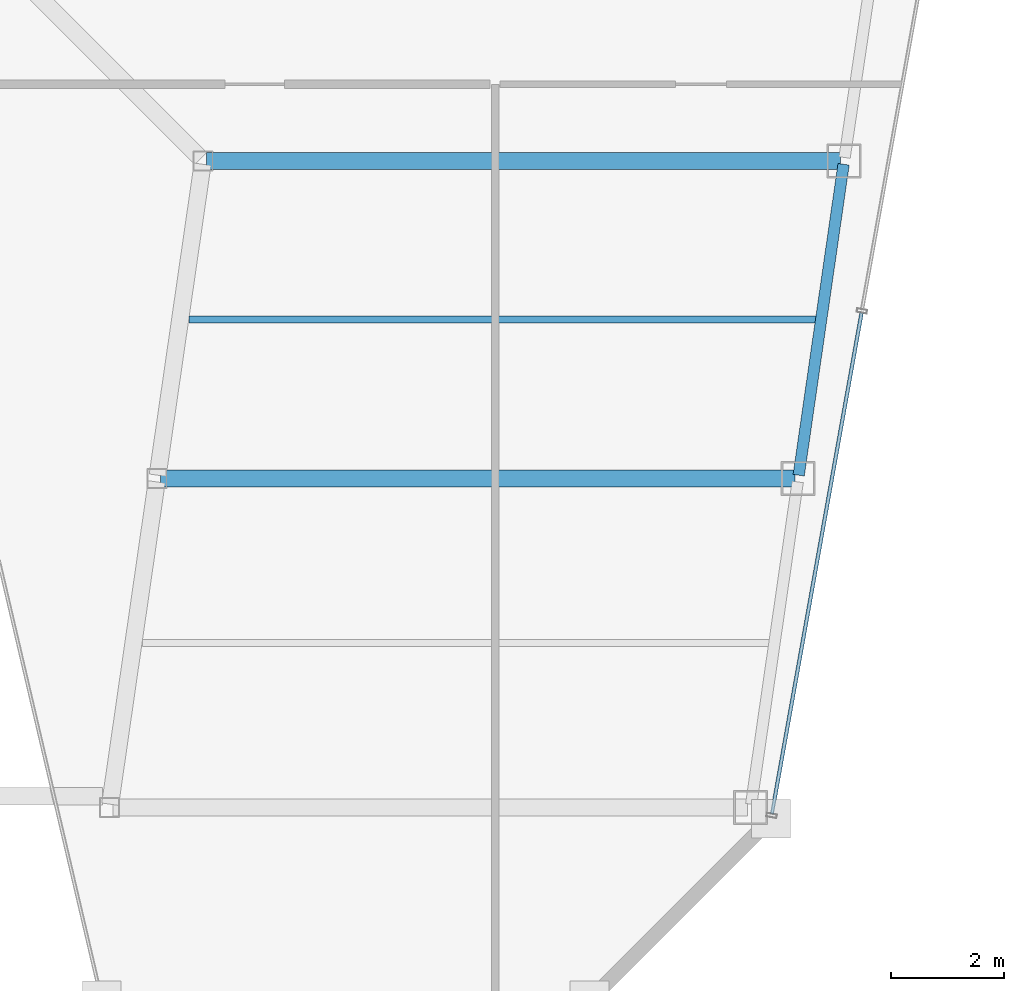
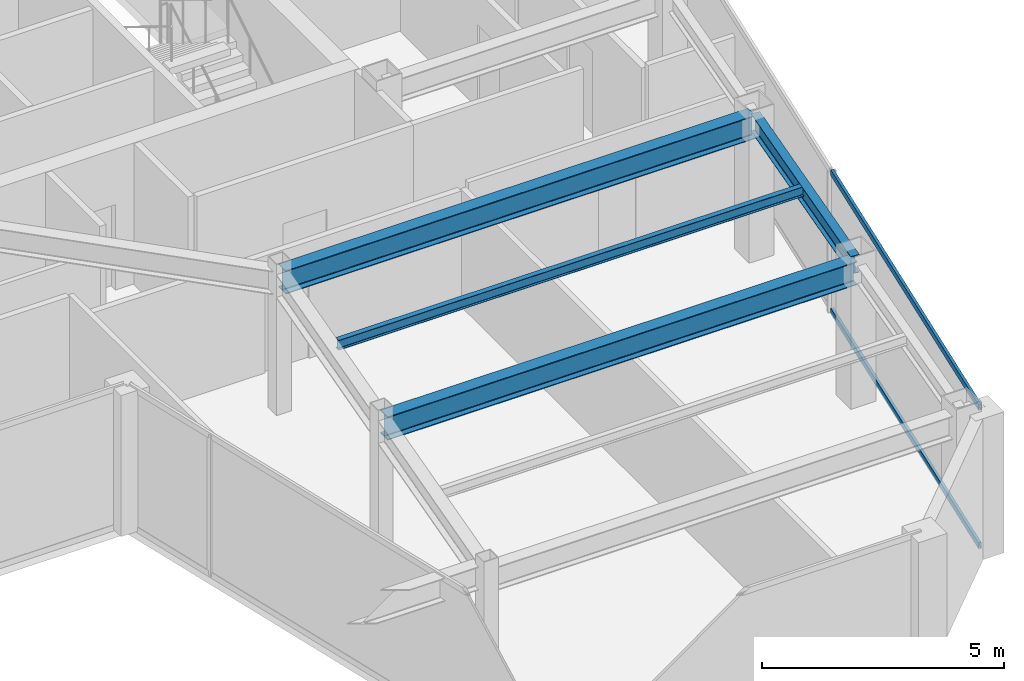
# One storey, part 16 of 32: 4 beams, 2 members, 1 element without a shape of its own.
"""IFC4 building model written with IfcOpenShell, lengths in metres."""

from ifc_helpers import new_model, si_unit, direction, frame, origin, origin_2d, place, context, subcontext, project, spatial, hollow_rectangle, i_section, extrude, material, material_profile, profile_set, type_object, element, aggregate, save


model = new_model("IFC4")

# Units and contexts
model_context = context("Model", 3, precision=1e-05, world=origin(), true_north=direction((0.0, 1.0)))
body_context = subcontext(model_context, "Body", "Model", "MODEL_VIEW")
ifc_project = project(units=[si_unit("LENGTHUNIT", "METRE"), si_unit("AREAUNIT", "SQUARE_METRE"), si_unit("VOLUMEUNIT", "CUBIC_METRE"), si_unit("PLANEANGLEUNIT", "RADIAN"), si_unit("MASSUNIT", "GRAM", prefix="KILO")], contexts=[model_context])

# Site, building, storey
site_placement = place(None, origin())
site = spatial("IfcSite", under=ifc_project, at=site_placement, CompositionType="ELEMENT")
building_placement = place(site_placement, origin())
building = spatial("IfcBuilding", under=site, at=building_placement, Name="Saevonmaru Cultural Tower", CompositionType="ELEMENT")
storey_placement = place(building_placement, frame((0.0, 0.0, 268.60009765625)))
storey = spatial("IfcBuildingStorey", under=building, at=storey_placement, Name="L63", CompositionType="ELEMENT", Elevation=268.60009765625)

# Beams
ifc_material_1 = material(Name="Steel SM355", Category="steel")
ifc_material_profile_1 = material_profile(ifc_material_1, i_section(OverallWidth=0.300048828125, OverallDepth=0.587890625, WebThickness=0.011962890625, FlangeThickness=0.02001953125, FilletRadius=0.02392578125, at=origin_2d()), Name="H-588x300x12x20")
ifc_profile_set_1 = profile_set([ifc_material_profile_1], Name="Steel SM355")
beam_type_1 = type_object("IfcBeamType", Name="BM-G-H588", PredefinedType="BEAM", material=ifc_profile_set_1)
for number, where, z_axis, x_axis, name in (
    (1, (40.443115234375, 32.0, 3.255859375), (1.0, 0.0, 0.0), (0.0, 1.0, 0.0), "L63 East Wing Transverse Girder 2"),
    (2, (41.251953125, 37.60009765625, 3.255859375), (1.0, 0.0, 0.0), (0.0, 1.0, 0.0), "L63 East Wing Transverse Girder 3"),
):
    element("IfcBeam", number, at=place(storey_placement, frame(where, z_axis=z_axis, x_axis=x_axis)), inside=storey, type_object=beam_type_1, Name=name, PredefinedType="BEAM", context=body_context, shape_type="SweptSolid", body=[
        extrude(i_section(OverallWidth=0.300048828125, OverallDepth=0.587890625, WebThickness=0.011962890625, FlangeThickness=0.02001953125, FilletRadius=0.02392578125, at=origin_2d()), origin(), (0.0, 0.0, 1.0), 11.179931640625),
    ])
ifc_material_profile_2 = material_profile(ifc_material_1, i_section(OverallWidth=0.125, OverallDepth=0.25, WebThickness=0.006103515625, FlangeThickness=0.009033203125, FilletRadius=0.008056640625, at=origin_2d()), Name="H-250x125x6x9")
ifc_profile_set_2 = profile_set([ifc_material_profile_2], Name="Steel SM355")
beam_type_2 = type_object("IfcBeamType", Name="BM-J-H250", PredefinedType="JOIST", material=ifc_profile_set_2)
beam_1_placement = place(storey_placement, frame((40.945556640625, 34.800048828125, 3.4248046875), z_axis=(1.0, 0.0, 0.0), x_axis=(0.0, 1.0, 0.0)))
element("IfcBeam", 3, at=beam_1_placement, inside=storey, type_object=beam_type_2, Name="L63 East Wing Floor Joist 2", PredefinedType="JOIST", context=body_context, shape_type="SweptSolid", body=[
    extrude(i_section(OverallWidth=0.125, OverallDepth=0.25, WebThickness=0.006103515625, FlangeThickness=0.009033203125, FilletRadius=0.008056640625, at=origin_2d()), origin(), (0.0, 0.0, 1.0), 11.08203125),
])
ifc_material_profile_3 = material_profile(ifc_material_1, i_section(OverallWidth=0.199951171875, OverallDepth=0.449951171875, WebThickness=0.009033203125, FlangeThickness=0.013916015625, FilletRadius=0.01806640625, at=origin_2d()), Name="H-450x200x9x14")
ifc_profile_set_3 = profile_set([ifc_material_profile_3], Name="Steel SM355")
beam_type_3 = type_object("IfcBeamType", Name="BM-SP-H450", PredefinedType="SPANDREL", material=ifc_profile_set_3)
beam_2_placement = place(storey_placement, frame((51.691650390625, 32.059326171875, 3.324951171875), z_axis=(0.142964121327, 0.989727871697, 0.0), x_axis=(-0.989727871697, 0.142964121327, 0.0)))
element("IfcBeam", 4, at=beam_2_placement, inside=storey, type_object=beam_type_3, Name="L63 East Splayed Spandrel 2", PredefinedType="SPANDREL", context=body_context, shape_type="SweptSolid", body=[
    extrude(i_section(OverallWidth=0.199951171875, OverallDepth=0.449951171875, WebThickness=0.009033203125, FlangeThickness=0.013916015625, FilletRadius=0.01806640625, at=origin_2d()), origin(), (0.0, 0.0, 1.0), 5.5380859375),
])

# Curtain wall, members
ifc_material_2 = material(Name="Satin Bronze Anodised Aluminium", Category="aluminium")
curtain_wall_type = type_object("IfcCurtainWallType", Name="CW-TYP-B", PredefinedType="NOTDEFINED", material=ifc_material_2)
curtain_wall_placement = place(storey_placement, origin())
curtain_wall = element("IfcCurtainWall", 5, at=curtain_wall_placement, inside=storey, type_object=curtain_wall_type, Name="L63 Unitised Curtain Wall E8", PredefinedType="NOTDEFINED")
ifc_material_profile_4 = material_profile(ifc_material_2, hollow_rectangle(XDim=0.06494140625, YDim=0.14990234375, WallThickness=0.00390625, at=origin_2d()), Name="ALU-TRAN-150x65x4")
ifc_profile_set_4 = profile_set([ifc_material_profile_4], Name="Satin Bronze Anodised Aluminium")
member_type = type_object("IfcMemberType", Name="TR-CW-150x65", PredefinedType="USERDEFINED", material=ifc_profile_set_4)
member_1_placement = place(storey_placement, frame((51.220703125, 26.091064453125, 0.032470703125), z_axis=(0.176144810911, 0.984364264685, 0.0), x_axis=(-0.984364264685, 0.176144810911, 0.0)))
member_1 = element("IfcMember", 6, at=member_1_placement, type_object=member_type, Name="CW-TW-L63-E8 transom 1.1", ObjectType="TRANSOM", PredefinedType="USERDEFINED", context=body_context, shape_type="SweptSolid", body=[
    extrude(hollow_rectangle(XDim=0.06494140625, YDim=0.14990234375, WallThickness=0.00390625, at=origin_2d()), origin(), (0.0, 0.0, 1.0), 8.97021484375),
])
member_2_placement = place(storey_placement, frame((51.220703125, 26.091064453125, 3.517333984375), z_axis=(0.176144810911, 0.984364264685, 0.0), x_axis=(-0.984364264685, 0.176144810911, 0.0)))
member_2 = element("IfcMember", 7, at=member_2_placement, type_object=member_type, Name="CW-TW-L63-E8 transom 1.2", ObjectType="TRANSOM", PredefinedType="USERDEFINED", context=body_context, shape_type="SweptSolid", body=[
    extrude(hollow_rectangle(XDim=0.06494140625, YDim=0.14990234375, WallThickness=0.00390625, at=origin_2d()), origin(), (0.0, 0.0, 1.0), 8.97021484375),
])
aggregate(curtain_wall, [member_1, member_2])

save(model, "model.ifc")
